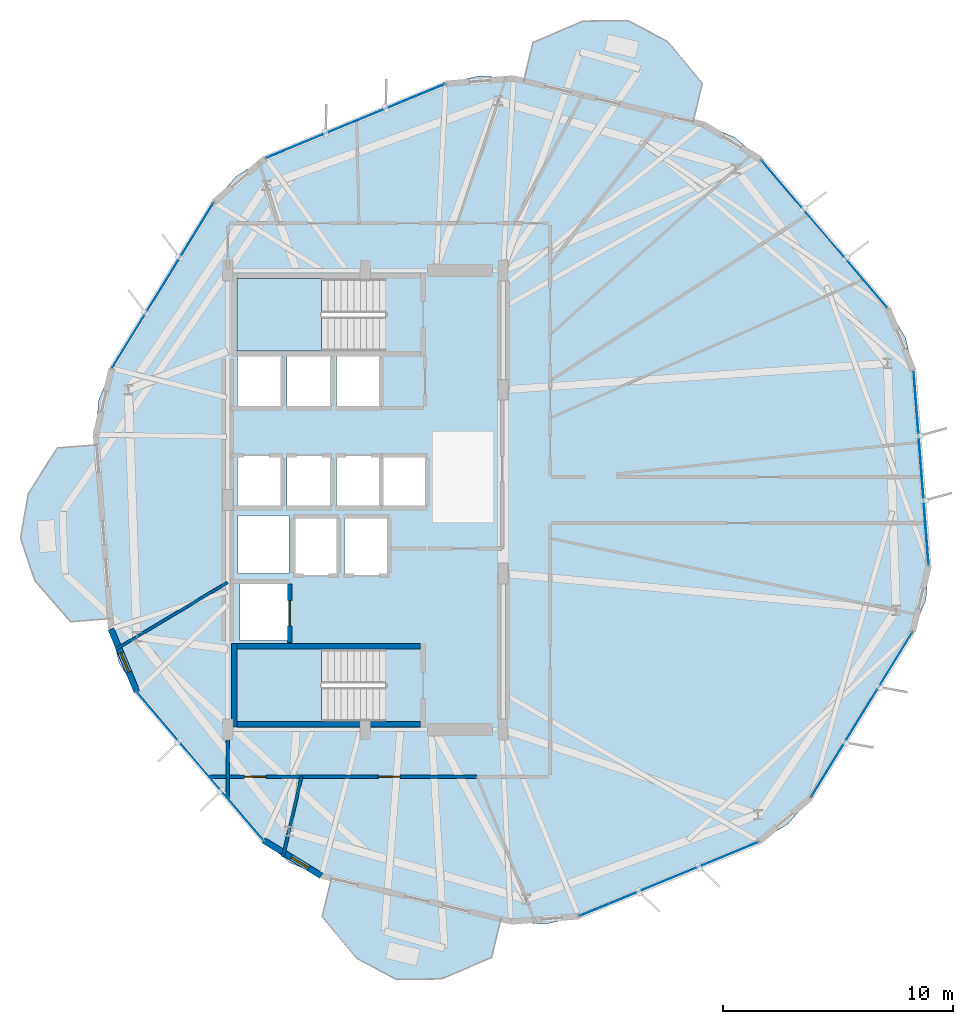
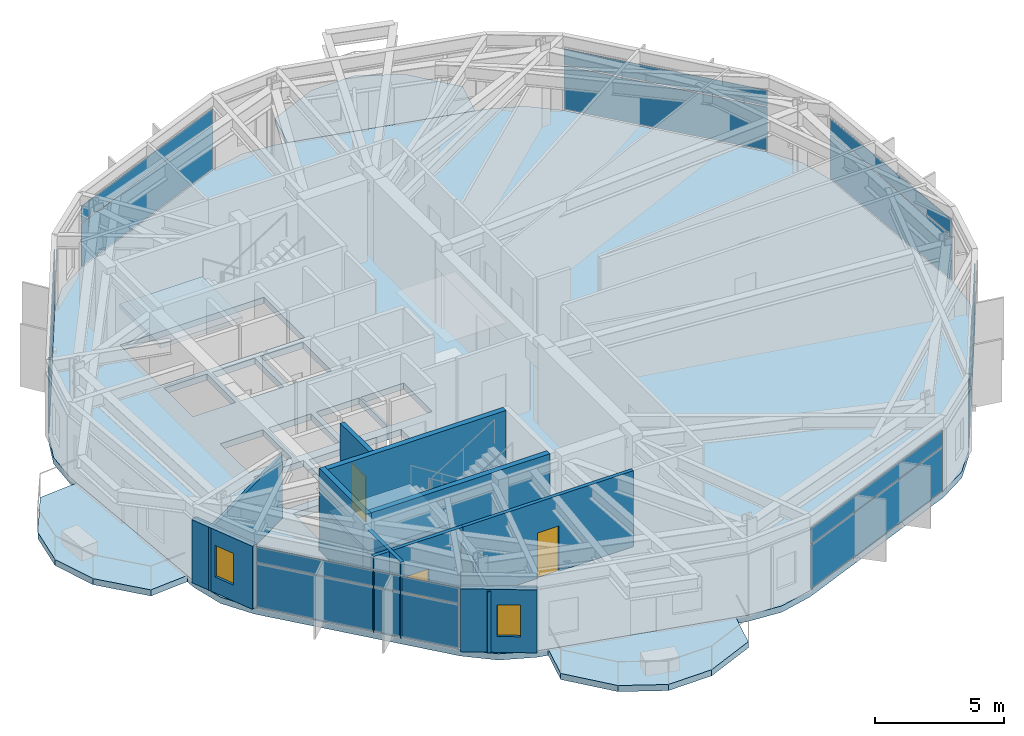
# One storey, part 15 of 21: 14 plates, 11 walls, 6 slabs, 3 doors, 2 windows, 5 openings, 9 elements without a shape of their own.
"""IFC4 building model written with IfcOpenShell, lengths in metres."""

from ifc_helpers import new_model, si_unit, direction, frame, frame_2d, origin, origin_2d, place, context, subcontext, project, spatial, polyline, rectangle, outline, extrude, material, layer, layer_set, type_object, element, fill, aggregate, save


model = new_model("IFC4")

# Units and contexts
model_context = context("Model", 3, precision=1e-05, world=origin(), true_north=direction((0.0, 1.0)))
body_context = subcontext(model_context, "Body", "Model", "MODEL_VIEW")
ifc_project = project(units=[si_unit("LENGTHUNIT", "METRE"), si_unit("AREAUNIT", "SQUARE_METRE"), si_unit("VOLUMEUNIT", "CUBIC_METRE"), si_unit("PLANEANGLEUNIT", "RADIAN"), si_unit("MASSUNIT", "GRAM", prefix="KILO")], contexts=[model_context])

# Site, building, storey
site_placement = place(None, origin())
site = spatial("IfcSite", under=ifc_project, at=site_placement, CompositionType="ELEMENT")
building_placement = place(site_placement, origin())
building = spatial("IfcBuilding", under=site, at=building_placement, Name="Soratama Intermodal Tower", CompositionType="ELEMENT")
storey_placement = place(building_placement, frame((0.0, 0.0, 114.699951171875)))
storey = spatial("IfcBuildingStorey", under=building, at=storey_placement, Name="L27", CompositionType="ELEMENT", Elevation=114.699951171875)

# Curtain wall, plates
ifc_material_1 = material(Name="Double-glazed aluminium curtain wall", Category="aluminium")
ifc_layer_1 = layer(ifc_material_1, 0.159912109375)
ifc_layer_set_1 = layer_set([ifc_layer_1], Name="Double-glazed aluminium curtain wall")
curtain_wall_type = type_object("IfcCurtainWallType", Name="CW-SYS-3", PredefinedType="NOTDEFINED", material=ifc_layer_set_1)
curtain_wall_1_placement = place(storey_placement, origin())
curtain_wall_1 = element("IfcCurtainWall", 1, at=curtain_wall_1_placement, inside=storey, type_object=curtain_wall_type, Name="L27 Faceted Curtain Wall F01", PredefinedType="NOTDEFINED")
ifc_material_2 = material(Name="Low-E laminated double glazing", Category="glass")
ifc_layer_2 = layer(ifc_material_2, 0.028076171875)
ifc_layer_set_2 = layer_set([ifc_layer_2], Name="Low-E laminated double glazing")
plate_type = type_object("IfcPlateType", Name="PT-CWP-3", PredefinedType="CURTAIN_PANEL", material=ifc_layer_set_2)
plate_1_placement = place(storey_placement, frame((58.59765625, 36.5888671875, 0.06005859375), z_axis=(0.0, 0.0, 1.0), x_axis=(-0.648649191763, 0.761087528491, 0.0)))
plate_1 = element("IfcPlate", 2, at=plate_1_placement, type_object=plate_type, Name="CW-3 panel 1.1", PredefinedType="CURTAIN_PANEL", context=body_context, shape_type="SweptSolid", body=[
    extrude(rectangle(XDim=8.370849609375, YDim=0.028076171875, at=origin_2d()), origin(), (0.0, 0.0, 1.0), 2.06005859375),
])
plate_2_placement = place(storey_placement, frame((58.59765625, 36.5888671875, 2.18017578125), z_axis=(0.0, 0.0, 1.0), x_axis=(-0.648649191763, 0.761087528491, 0.0)))
plate_2 = element("IfcPlate", 3, at=plate_2_placement, type_object=plate_type, Name="CW-3 panel 1.2", PredefinedType="CURTAIN_PANEL", context=body_context, shape_type="SweptSolid", body=[
    extrude(rectangle(XDim=8.370849609375, YDim=0.028076171875, at=origin_2d()), origin(), (0.0, 0.0, 1.0), 0.739013671875),
])
aggregate(curtain_wall_1, [plate_1, plate_2])

curtain_wall_2_placement = place(storey_placement, origin())
curtain_wall_2 = element("IfcCurtainWall", 4, at=curtain_wall_2_placement, inside=storey, type_object=curtain_wall_type, Name="L27 Faceted Curtain Wall F03", PredefinedType="NOTDEFINED")
plate_3_placement = place(storey_placement, frame((38.18017578125, 41.51318359375, 0.06005859375), z_axis=(0.0, 0.0, 1.0), x_axis=(-0.924279041692, -0.3817175043, 0.0)))
plate_3 = element("IfcPlate", 5, at=plate_3_placement, type_object=plate_type, Name="CW-3 panel 1.1", PredefinedType="CURTAIN_PANEL", context=body_context, shape_type="SweptSolid", body=[
    extrude(rectangle(XDim=8.370849609375, YDim=0.028076171875, at=origin_2d()), origin(), (0.0, 0.0, 1.0), 2.06005859375),
])
plate_4_placement = place(storey_placement, frame((38.18017578125, 41.51318359375, 2.18017578125), z_axis=(0.0, 0.0, 1.0), x_axis=(-0.924279041692, -0.3817175043, 0.0)))
plate_4 = element("IfcPlate", 6, at=plate_4_placement, type_object=plate_type, Name="CW-3 panel 1.2", PredefinedType="CURTAIN_PANEL", context=body_context, shape_type="SweptSolid", body=[
    extrude(rectangle(XDim=8.370849609375, YDim=0.028076171875, at=origin_2d()), origin(), (0.0, 0.0, 1.0), 0.739013671875),
])
aggregate(curtain_wall_2, [plate_3, plate_4])

curtain_wall_3_placement = place(storey_placement, origin())
curtain_wall_3 = element("IfcCurtainWall", 7, at=curtain_wall_3_placement, inside=storey, type_object=curtain_wall_type, Name="L27 Faceted Curtain Wall F04", PredefinedType="NOTDEFINED")
plate_5_placement = place(storey_placement, frame((29.7763671875, 34.350830078125, 0.06005859375), z_axis=(0.0, 0.0, 1.0), x_axis=(-0.523396118102, -0.852089492692, 0.0)))
plate_5 = element("IfcPlate", 8, at=plate_5_placement, type_object=plate_type, Name="CW-3 panel 1.1", PredefinedType="CURTAIN_PANEL", context=body_context, shape_type="SweptSolid", body=[
    extrude(rectangle(XDim=8.370849609375, YDim=0.028076171875, at=origin_2d()), origin(), (0.0, 0.0, 1.0), 2.06005859375),
])
plate_6_placement = place(storey_placement, frame((29.7763671875, 34.350830078125, 2.18017578125), z_axis=(0.0, 0.0, 1.0), x_axis=(-0.523396118102, -0.852089492692, 0.0)))
plate_6 = element("IfcPlate", 9, at=plate_6_placement, type_object=plate_type, Name="CW-3 panel 1.2", PredefinedType="CURTAIN_PANEL", context=body_context, shape_type="SweptSolid", body=[
    extrude(rectangle(XDim=8.370849609375, YDim=0.028076171875, at=origin_2d()), origin(), (0.0, 0.0, 1.0), 0.739013671875),
])
aggregate(curtain_wall_3, [plate_5, plate_6])

curtain_wall_4_placement = place(storey_placement, origin())
curtain_wall_4 = element("IfcCurtainWall", 10, at=curtain_wall_4_placement, inside=storey, type_object=curtain_wall_type, Name="L27 Faceted Curtain Wall F06", PredefinedType="NOTDEFINED")
plate_7_placement = place(storey_placement, frame((31.40234375, 13.4111328125, 0.06005859375), z_axis=(0.0, 0.0, 1.0), x_axis=(0.648649191763, -0.761087528491, 0.0)))
plate_7 = element("IfcPlate", 11, at=plate_7_placement, type_object=plate_type, Name="CW-3 panel 1.1", PredefinedType="CURTAIN_PANEL", context=body_context, shape_type="SweptSolid", body=[
    extrude(rectangle(XDim=8.370849609375, YDim=0.028076171875, at=origin_2d()), origin(), (0.0, 0.0, 1.0), 2.06005859375),
])
plate_8_placement = place(storey_placement, frame((31.40234375, 13.4111328125, 2.18017578125), z_axis=(0.0, 0.0, 1.0), x_axis=(0.648649191763, -0.761087528491, 0.0)))
plate_8 = element("IfcPlate", 12, at=plate_8_placement, type_object=plate_type, Name="CW-3 panel 1.2", PredefinedType="CURTAIN_PANEL", context=body_context, shape_type="SweptSolid", body=[
    extrude(rectangle(XDim=8.370849609375, YDim=0.028076171875, at=origin_2d()), origin(), (0.0, 0.0, 1.0), 0.739013671875),
])
aggregate(curtain_wall_4, [plate_7, plate_8])

curtain_wall_5_placement = place(storey_placement, origin())
curtain_wall_5 = element("IfcCurtainWall", 13, at=curtain_wall_5_placement, inside=storey, type_object=curtain_wall_type, Name="L27 Faceted Curtain Wall F08", PredefinedType="NOTDEFINED")
plate_9_placement = place(storey_placement, frame((51.81982421875, 8.48681640625, 0.06005859375), z_axis=(0.0, 0.0, 1.0), x_axis=(0.924279041692, 0.3817175043, 0.0)))
plate_9 = element("IfcPlate", 14, at=plate_9_placement, type_object=plate_type, Name="CW-3 panel 1.1", PredefinedType="CURTAIN_PANEL", context=body_context, shape_type="SweptSolid", body=[
    extrude(rectangle(XDim=8.370849609375, YDim=0.028076171875, at=origin_2d()), origin(), (0.0, 0.0, 1.0), 2.06005859375),
])
plate_10_placement = place(storey_placement, frame((51.81982421875, 8.48681640625, 2.18017578125), z_axis=(0.0, 0.0, 1.0), x_axis=(0.924279041692, 0.3817175043, 0.0)))
plate_10 = element("IfcPlate", 15, at=plate_10_placement, type_object=plate_type, Name="CW-3 panel 1.2", PredefinedType="CURTAIN_PANEL", context=body_context, shape_type="SweptSolid", body=[
    extrude(rectangle(XDim=8.370849609375, YDim=0.028076171875, at=origin_2d()), origin(), (0.0, 0.0, 1.0), 0.739013671875),
])
aggregate(curtain_wall_5, [plate_9, plate_10])

curtain_wall_6_placement = place(storey_placement, origin())
curtain_wall_6 = element("IfcCurtainWall", 16, at=curtain_wall_6_placement, inside=storey, type_object=curtain_wall_type, Name="L27 Faceted Curtain Wall F09", PredefinedType="NOTDEFINED")
plate_11_placement = place(storey_placement, frame((60.2236328125, 15.649169921875, 0.06005859375), z_axis=(0.0, 0.0, 1.0), x_axis=(0.523396118102, 0.852089492692, 0.0)))
plate_11 = element("IfcPlate", 17, at=plate_11_placement, type_object=plate_type, Name="CW-3 panel 1.1", PredefinedType="CURTAIN_PANEL", context=body_context, shape_type="SweptSolid", body=[
    extrude(rectangle(XDim=8.370849609375, YDim=0.028076171875, at=origin_2d()), origin(), (0.0, 0.0, 1.0), 2.06005859375),
])
plate_12_placement = place(storey_placement, frame((60.2236328125, 15.649169921875, 2.18017578125), z_axis=(0.0, 0.0, 1.0), x_axis=(0.523396118102, 0.852089492692, 0.0)))
plate_12 = element("IfcPlate", 18, at=plate_12_placement, type_object=plate_type, Name="CW-3 panel 1.2", PredefinedType="CURTAIN_PANEL", context=body_context, shape_type="SweptSolid", body=[
    extrude(rectangle(XDim=8.370849609375, YDim=0.028076171875, at=origin_2d()), origin(), (0.0, 0.0, 1.0), 0.739013671875),
])
aggregate(curtain_wall_6, [plate_11, plate_12])

curtain_wall_7_placement = place(storey_placement, origin())
curtain_wall_7 = element("IfcCurtainWall", 19, at=curtain_wall_7_placement, inside=storey, type_object=curtain_wall_type, Name="L27 Faceted Curtain Wall F10", PredefinedType="NOTDEFINED")
plate_13_placement = place(storey_placement, frame((62.8125, 26.383056640625, 0.06005859375), z_axis=(0.0, 0.0, 1.0), x_axis=(-0.077412472257, 0.996999152025, 0.0)))
plate_13 = element("IfcPlate", 20, at=plate_13_placement, type_object=plate_type, Name="CW-3 panel 1.1", PredefinedType="CURTAIN_PANEL", context=body_context, shape_type="SweptSolid", body=[
    extrude(rectangle(XDim=8.370849609375, YDim=0.028076171875, at=origin_2d()), origin(), (0.0, 0.0, 1.0), 2.06005859375),
])
plate_14_placement = place(storey_placement, frame((62.8125, 26.383056640625, 2.18017578125), z_axis=(0.0, 0.0, 1.0), x_axis=(-0.077412472257, 0.996999152025, 0.0)))
plate_14 = element("IfcPlate", 21, at=plate_14_placement, type_object=plate_type, Name="CW-3 panel 1.2", PredefinedType="CURTAIN_PANEL", context=body_context, shape_type="SweptSolid", body=[
    extrude(rectangle(XDim=8.370849609375, YDim=0.028076171875, at=origin_2d()), origin(), (0.0, 0.0, 1.0), 0.739013671875),
])
aggregate(curtain_wall_7, [plate_13, plate_14])

# Slabs
ifc_material_3 = material(Name="Concrete f'c 42 MPa", Category="concrete")
ifc_layer_3 = layer(ifc_material_3, 0.2900390625)
ifc_layer_set_3 = layer_set([ifc_layer_3], Name="Concrete f'c 42 MPa")
slab_type_1 = type_object("IfcSlabType", Name="SL-EXT-BAL2", PredefinedType="FLOOR", material=ifc_layer_set_3)
slab_1_placement = place(storey_placement, frame((0.0, 0.0, -0.2900390625)))
element("IfcSlab", 22, at=slab_1_placement, inside=storey, type_object=slab_type_1, Name="L27 Planted Balcony North 1", PredefinedType="FLOOR", context=body_context, shape_type="SweptSolid", body=[
    extrude(outline(polyline([(52.87841796875, 41.478271484375), (45.49951171875, 43.258056640625), (45.902587890625, 44.929931640625), (48.0791015625, 45.86083984375), (50.03759765625, 45.88720703125), (51.768798828125, 44.970947265625), (53.28173828125, 43.150390625), (52.87841796875, 41.478271484375)])), origin(), (0.0, 0.0, 1.0), 0.2900390625),
])
slab_2_placement = place(storey_placement, frame((0.0, 0.0, -0.2900390625)))
element("IfcSlab", 23, at=slab_2_placement, inside=storey, type_object=slab_type_1, Name="L27 Planted Balcony West 2", PredefinedType="FLOOR", context=body_context, shape_type="SweptSolid", body=[
    extrude(outline(polyline([(26.893798828125, 27.40087890625), (27.4814453125, 19.832763671875), (25.7666015625, 19.69970703125), (24.208740234375, 21.482177734375), (23.578369140625, 23.336669921875), (23.914794921875, 25.26611328125), (25.178955078125, 27.267822265625), (26.893798828125, 27.40087890625)])), origin(), (0.0, 0.0, 1.0), 0.2900390625),
])
slab_3_placement = place(storey_placement, frame((0.0, 0.0, -0.2900390625)))
element("IfcSlab", 24, at=slab_3_placement, inside=storey, type_object=slab_type_1, Name="L27 Planted Balcony South 3", PredefinedType="FLOOR", context=body_context, shape_type="SweptSolid", body=[
    extrude(outline(polyline([(37.12158203125, 8.521728515625), (44.50048828125, 6.741943359375), (44.097412109375, 5.070068359375), (41.9208984375, 4.13916015625), (39.96240234375, 4.11279296875), (38.231201171875, 5.029052734375), (36.71826171875, 6.849609375), (37.12158203125, 8.521728515625)])), origin(), (0.0, 0.0, 1.0), 0.2900390625),
])

# Stair, slab
ifc_material_4 = material(Name="Concrete f'c 42 MPa", Category="concrete")
stair_type = type_object("IfcStairType", Name="ST-CORE-DOGLEG", PredefinedType="HALF_TURN_STAIR", material=ifc_material_4)
stair_1_placement = place(storey_placement, origin())
stair_1 = element("IfcStair", 25, at=stair_1_placement, inside=storey, type_object=stair_type, Name="L27 ST-1", PredefinedType="HALF_TURN_STAIR")
ifc_material_5 = material(Name="Concrete f'c 42 MPa", Category="concrete")
ifc_layer_4 = layer(ifc_material_5, 0.219970703125)
ifc_layer_set_4 = layer_set([ifc_layer_4], Name="Concrete f'c 42 MPa")
slab_type_2 = type_object("IfcSlabType", Name="SL-STAIR-LAND", PredefinedType="LANDING", material=ifc_layer_set_4)
slab_4_placement = place(storey_placement, frame((0.0, 0.0, 1.75)))
slab_4 = element("IfcSlab", 26, at=slab_4_placement, type_object=slab_type_2, Name="ST-1 landing 1", PredefinedType="LANDING", context=body_context, shape_type="SweptSolid", body=[
    extrude(outline(polyline([(36.699951171875, 18.5), (33.0, 18.5), (33.0, 15.35009765625), (36.699951171875, 15.35009765625), (36.699951171875, 18.5)])), origin(), (0.0, 0.0, 1.0), 0.199951171875),
])
aggregate(stair_1, [slab_4])

stair_2_placement = place(storey_placement, origin())
stair_2 = element("IfcStair", 27, at=stair_2_placement, inside=storey, type_object=stair_type, Name="L27 ST-2", PredefinedType="HALF_TURN_STAIR")
slab_5_placement = place(storey_placement, frame((0.0, 0.0, 1.75)))
slab_5 = element("IfcSlab", 28, at=slab_5_placement, type_object=slab_type_2, Name="ST-2 landing 1", PredefinedType="LANDING", context=body_context, shape_type="SweptSolid", body=[
    extrude(outline(polyline([(36.699951171875, 34.64990234375), (33.0, 34.64990234375), (33.0, 31.5), (36.699951171875, 31.5), (36.699951171875, 34.64990234375)])), origin(), (0.0, 0.0, 1.0), 0.199951171875),
])
aggregate(stair_2, [slab_5])

# Slab
ifc_material_6 = material(Name="Concrete f'c 42 MPa", Category="concrete")
ifc_layer_5 = layer(ifc_material_6, 0.280029296875)
ifc_layer_set_5 = layer_set([ifc_layer_5], Name="Concrete f'c 42 MPa")
slab_type_3 = type_object("IfcSlabType", Name="SL-TWR-280", PredefinedType="FLOOR", material=ifc_layer_set_5)
slab_6_placement = place(storey_placement, frame((0.0, 0.0, -0.300048828125)))
element("IfcSlab", 29, at=slab_6_placement, inside=storey, type_object=slab_type_3, Name="L27 Structural Floor Slab", PredefinedType="FLOOR", context=body_context, shape_type="SweptSolid", body=[
    extrude(outline(polyline([(62.48388671875, 30.61572265625), (62.134765625, 32.076416015625), (61.351318359375, 33.357666015625), (55.84375, 39.820068359375), (54.702880859375, 40.79638671875), (53.31591796875, 41.372802734375), (45.06201171875, 43.363525390625), (43.564697265625, 43.48291015625), (42.104248046875, 43.1337890625), (34.25634765625, 39.892578125), (32.97509765625, 39.109375), (31.99853515625, 37.968505859375), (27.554443359375, 30.7333984375), (26.978271484375, 29.3466796875), (26.85888671875, 27.849609375), (27.51611328125, 19.38427734375), (27.865234375, 17.923583984375), (28.648681640625, 16.642333984375), (34.15625, 10.179931640625), (35.297119140625, 9.20361328125), (36.68408203125, 8.627197265625), (44.93798828125, 6.636474609375), (46.435302734375, 6.51708984375), (47.895751953125, 6.8662109375), (55.74365234375, 10.107421875), (57.02490234375, 10.890625), (58.00146484375, 12.031494140625), (62.445556640625, 19.2666015625), (63.021728515625, 20.6533203125), (63.14111328125, 22.150390625), (62.48388671875, 30.61572265625)]), holes=[polyline([(33.0, 18.5), (33.0, 15.35009765625), (39.47509765625, 15.35009765625), (39.47509765625, 18.5), (33.0, 18.5)]), polyline([(35.260009765625, 18.889892578125), (35.260009765625, 21.409912109375), (33.139892578125, 21.409912109375), (33.139892578125, 18.889892578125), (35.260009765625, 18.889892578125)]), polyline([(33.050048828125, 21.800048828125), (35.280029296875, 21.800048828125), (35.280029296875, 24.320068359375), (33.050048828125, 24.320068359375), (33.050048828125, 21.800048828125)]), polyline([(34.9599609375, 26.909912109375), (33.0400390625, 26.909912109375), (33.0400390625, 24.68994140625), (34.9599609375, 24.68994140625), (34.9599609375, 26.909912109375)]), polyline([(37.110107421875, 24.68994140625), (37.110107421875, 26.909912109375), (35.18994140625, 26.909912109375), (35.18994140625, 24.68994140625), (37.110107421875, 24.68994140625)]), polyline([(34.9599609375, 29.0400390625), (34.9599609375, 31.260009765625), (33.0400390625, 31.260009765625), (33.0400390625, 29.0400390625), (34.9599609375, 29.0400390625)]), polyline([(37.110107421875, 31.260009765625), (35.18994140625, 31.260009765625), (35.18994140625, 29.0400390625), (37.110107421875, 29.0400390625), (37.110107421875, 31.260009765625)]), polyline([(37.409912109375, 21.739990234375), (37.409912109375, 24.260009765625), (35.489990234375, 24.260009765625), (35.489990234375, 21.739990234375), (37.409912109375, 21.739990234375)]), polyline([(39.610107421875, 21.739990234375), (39.610107421875, 24.260009765625), (37.68994140625, 24.260009765625), (37.68994140625, 21.739990234375), (39.610107421875, 21.739990234375)]), polyline([(39.260009765625, 24.68994140625), (39.260009765625, 26.909912109375), (37.340087890625, 26.909912109375), (37.340087890625, 24.68994140625), (39.260009765625, 24.68994140625)]), polyline([(41.260009765625, 24.68994140625), (41.260009765625, 26.909912109375), (39.340087890625, 26.909912109375), (39.340087890625, 24.68994140625), (41.260009765625, 24.68994140625)]), polyline([(39.260009765625, 29.0400390625), (39.260009765625, 31.260009765625), (37.340087890625, 31.260009765625), (37.340087890625, 29.0400390625), (39.260009765625, 29.0400390625)]), polyline([(39.47509765625, 34.64990234375), (33.0, 34.64990234375), (33.0, 31.5), (39.47509765625, 31.5), (39.47509765625, 34.64990234375)])]), origin(), (0.0, 0.0, 1.0), 0.300048828125),
])

# Wall, opening, window
ifc_material_7 = material(Name="Concrete f'c 42 MPa", Category="concrete")
ifc_layer_6 = layer(ifc_material_7, 0.27001953125)
ifc_layer_set_6 = layer_set([ifc_layer_6], Name="Concrete f'c 42 MPa")
wall_type_1 = type_object("IfcWallType", Name="EW-CRN-270", PredefinedType="SOLIDWALL", material=ifc_layer_set_6)
wall_1_placement = place(storey_placement, frame((27.51611328125, 19.38427734375, 0.0), z_axis=(0.0, 0.0, 1.0), x_axis=(0.381767795874, -0.9242582702, 0.0)))
wall_1 = element("IfcWall", 30, at=wall_1_placement, inside=storey, type_object=wall_type_1, Name="L27 Corner Closure Wall 05", PredefinedType="SOLIDWALL", context=body_context, shape_type="SweptSolid", body=[
    extrude(rectangle(XDim=2.966552734375, YDim=0.27001953125, at=frame_2d((1.4833984375, 0.0))), origin(), (0.0, 0.0, 1.0), 2.97900390625),
])
opening_1_placement = place(wall_1_placement, frame((1.130615234375, 0.0, 0.75)))
opening_1 = element("IfcOpeningElement", 31, at=opening_1_placement, cuts=wall_1, Name="Opening WN-6", PredefinedType="OPENING", context=body_context, shape_type="SweptSolid", body=[
    extrude(rectangle(XDim=0.89990234375, YDim=1.5, at=frame_2d((0.449951171875, 0.75))), frame((0.0, 0.14501953125, 0.0), z_axis=(0.0, -1.0, 0.0), x_axis=(1.0, 0.0, 0.0)), (0.0, 0.0, 1.0), 0.2900390625),
])
ifc_material_8 = material(Name="Double-glazed aluminium window", Category="aluminium")
window_type = type_object("IfcWindowType", Name="WN-FAC-900", PartitioningType="SINGLE_PANEL", PredefinedType="WINDOW", material=ifc_material_8)
window_1_placement = place(opening_1_placement, origin())
window_1 = element("IfcWindow", 32, at=window_1_placement, inside=storey, type_object=window_type, Name="L27 Corner Window 05", OverallHeight=1.5, OverallWidth=0.89990234375, PartitioningType="SINGLE_PANEL", PredefinedType="WINDOW", context=body_context, shape_type="SweptSolid", body=[
    extrude(rectangle(XDim=0.89990234375, YDim=1.5, at=frame_2d((0.449951171875, 0.75))), frame((0.0, 0.030029296875, 0.0), z_axis=(0.0, -1.0, 0.0), x_axis=(1.0, 0.0, 0.0)), (0.0, 0.0, 1.0), 0.06005859375),
])
fill(opening_1, window_1)

wall_2_placement = place(storey_placement, frame((34.15625, 10.179931640625, 0.0), z_axis=(0.0, 0.0, 1.0), x_axis=(0.852087521371, -0.523399327402, 0.0)))
wall_2 = element("IfcWall", 33, at=wall_2_placement, inside=storey, type_object=wall_type_1, Name="L27 Corner Closure Wall 06", PredefinedType="SOLIDWALL", context=body_context, shape_type="SweptSolid", body=[
    extrude(rectangle(XDim=2.966552734375, YDim=0.27001953125, at=frame_2d((1.4833984375, 0.0))), origin(), (0.0, 0.0, 1.0), 2.97900390625),
])
opening_2_placement = place(wall_2_placement, frame((1.422119140625, 0.0, 0.75)))
opening_2 = element("IfcOpeningElement", 34, at=opening_2_placement, cuts=wall_2, Name="Opening WN-6", PredefinedType="OPENING", context=body_context, shape_type="SweptSolid", body=[
    extrude(rectangle(XDim=0.89990234375, YDim=1.5, at=frame_2d((0.449951171875, 0.75))), frame((0.0, 0.14501953125, 0.0), z_axis=(0.0, -1.0, 0.0), x_axis=(1.0, 0.0, 0.0)), (0.0, 0.0, 1.0), 0.2900390625),
])
window_2_placement = place(opening_2_placement, origin())
window_2 = element("IfcWindow", 35, at=window_2_placement, inside=storey, type_object=window_type, Name="L27 Corner Window 06", OverallHeight=1.5, OverallWidth=0.89990234375, PartitioningType="SINGLE_PANEL", PredefinedType="WINDOW", context=body_context, shape_type="SweptSolid", body=[
    extrude(rectangle(XDim=0.89990234375, YDim=1.5, at=frame_2d((0.449951171875, 0.75))), frame((0.0, 0.030029296875, 0.0), z_axis=(0.0, -1.0, 0.0), x_axis=(1.0, 0.0, 0.0)), (0.0, 0.0, 1.0), 0.06005859375),
])
fill(opening_2, window_2)

# Wall, opening, door
ifc_material_9 = material(Name="Fire-rated gypsum stud partition", Category="concrete")
ifc_layer_7 = layer(ifc_material_9, 0.159912109375)
ifc_layer_set_7 = layer_set([ifc_layer_7], Name="Fire-rated gypsum stud partition")
wall_type_2 = type_object("IfcWallType", Name="IW-PART-R160", PredefinedType="PARTITIONING", material=ifc_layer_set_7)
wall_3_placement = place(storey_placement, frame((43.455078125, 12.949951171875, 0.0), z_axis=(0.0, 0.0, 1.0), x_axis=(-1.0, 0.0, 0.0)))
wall_3 = element("IfcWall", 36, at=wall_3_placement, inside=storey, type_object=wall_type_2, Name="L27 Partition W-L27-TP010", PredefinedType="PARTITIONING", context=body_context, shape_type="SweptSolid", body=[
    extrude(rectangle(XDim=7.635986328125, YDim=0.159912109375, at=frame_2d((3.81787109375, 0.0))), origin(), (0.0, 0.0, 1.0), 3.60009765625),
])
opening_3_placement = place(wall_3_placement, frame((3.343017578125, 0.0, 0.0)))
opening_3 = element("IfcOpeningElement", 37, at=opening_3_placement, cuts=wall_3, Name="Opening ID-3", PredefinedType="OPENING", context=body_context, shape_type="SweptSolid", body=[
    extrude(rectangle(XDim=0.949951171875, YDim=2.14990234375, at=frame_2d((0.47509765625, 1.074951171875))), frame((0.0, 0.08984375, 0.0), z_axis=(0.0, -1.0, 0.0), x_axis=(1.0, 0.0, 0.0)), (0.0, 0.0, 1.0), 0.179931640625),
])
ifc_material_10 = material(Name="Solid hardwood acoustic door", Category="wood")
door_type_1 = type_object("IfcDoorType", Name="DR-ROOM-950", OperationType="NOTDEFINED", PredefinedType="DOOR", material=ifc_material_10)
door_1_placement = place(opening_3_placement, origin())
door_1 = element("IfcDoor", 38, at=door_1_placement, inside=storey, type_object=door_type_1, Name="L27 Door D-L27-TP004", OperationType="SINGLE_SWING_LEFT", OverallHeight=2.14990234375, OverallWidth=0.949951171875, PredefinedType="DOOR", context=body_context, shape_type="SweptSolid", body=[
    extrude(rectangle(XDim=0.949951171875, YDim=2.14990234375, at=frame_2d((0.47509765625, 1.074951171875))), frame((0.0, 0.02490234375, 0.0), z_axis=(0.0, -1.0, 0.0), x_axis=(1.0, 0.0, 0.0)), (0.0, 0.0, 1.0), 0.050048828125),
])
fill(opening_3, door_1)

wall_4_placement = place(storey_placement, frame((35.819091796875, 12.949951171875, 0.0), z_axis=(0.0, 0.0, 1.0), x_axis=(-1.0, 0.0, 0.0)))
wall_4 = element("IfcWall", 39, at=wall_4_placement, inside=storey, type_object=wall_type_2, Name="L27 Partition W-L27-TP018", PredefinedType="PARTITIONING", context=body_context, shape_type="SweptSolid", body=[
    extrude(rectangle(XDim=4.024169921875, YDim=0.159912109375, at=frame_2d((2.01220703125, 0.0))), origin(), (0.0, 0.0, 1.0), 3.60009765625),
])
opening_4_placement = place(wall_4_placement, frame((1.537109375, 0.0, 0.0)))
opening_4 = element("IfcOpeningElement", 40, at=opening_4_placement, cuts=wall_4, Name="Opening ID-3", PredefinedType="OPENING", context=body_context, shape_type="SweptSolid", body=[
    extrude(rectangle(XDim=0.949951171875, YDim=2.14990234375, at=frame_2d((0.47509765625, 1.074951171875))), frame((0.0, 0.08984375, 0.0), z_axis=(0.0, -1.0, 0.0), x_axis=(1.0, 0.0, 0.0)), (0.0, 0.0, 1.0), 0.179931640625),
])
door_2_placement = place(opening_4_placement, origin())
door_2 = element("IfcDoor", 41, at=door_2_placement, inside=storey, type_object=door_type_1, Name="L27 Door D-L27-TP007", OperationType="SINGLE_SWING_RIGHT", OverallHeight=2.14990234375, OverallWidth=0.949951171875, PredefinedType="DOOR", context=body_context, shape_type="SweptSolid", body=[
    extrude(rectangle(XDim=0.949951171875, YDim=2.14990234375, at=frame_2d((0.47509765625, 1.074951171875))), frame((0.0, 0.02490234375, 0.0), z_axis=(0.0, -1.0, 0.0), x_axis=(1.0, 0.0, 0.0)), (0.0, 0.0, 1.0), 0.050048828125),
])
fill(opening_4, door_2)

# Walls
wall_5_placement = place(storey_placement, frame((32.60009765625, 12.006103515625, 0.0), z_axis=(0.0, 0.0, 1.0), x_axis=(0.0, 1.0, 0.0)))
element("IfcWall", 42, at=wall_5_placement, inside=storey, type_object=wall_type_2, Name="L27 Partition W-L27-TP024", PredefinedType="PARTITIONING", context=body_context, shape_type="SweptSolid", body=[
    extrude(rectangle(XDim=2.923828125, YDim=0.159912109375, at=frame_2d((1.4619140625, 0.0))), origin(), (0.0, 0.0, 1.0), 3.60009765625),
])
ifc_material_11 = material(Name="Fire-rated gypsum stud partition", Category="concrete")
ifc_layer_8 = layer(ifc_material_11, 0.1298828125)
ifc_layer_set_8 = layer_set([ifc_layer_8], Name="Fire-rated gypsum stud partition")
wall_type_3 = type_object("IfcWallType", Name="IW-PART-S130", PredefinedType="PARTITIONING", material=ifc_layer_set_8)
wall_6_placement = place(storey_placement, frame((32.60009765625, 21.410888671875, 0.0), z_axis=(0.0, 0.0, 1.0), x_axis=(-0.858300195468, -0.513147907002, 0.0)))
element("IfcWall", 43, at=wall_6_placement, inside=storey, type_object=wall_type_3, Name="L27 Partition W-L27-TP015", PredefinedType="PARTITIONING", context=body_context, shape_type="SweptSolid", body=[
    extrude(rectangle(XDim=5.676513671875, YDim=0.1298828125, at=frame_2d((2.83837890625, 0.0))), origin(), (0.0, 0.0, 1.0), 2.97802734375),
])
ifc_material_12 = material(Name="Fire-rated gypsum stud partition", Category="concrete")
ifc_layer_9 = layer(ifc_material_12, 0.139892578125)
ifc_layer_set_9 = layer_set([ifc_layer_9], Name="Fire-rated gypsum stud partition")
wall_type_4 = type_object("IfcWallType", Name="IW-PART-S140", PredefinedType="PARTITIONING", material=ifc_layer_set_9)
wall_7_placement = place(storey_placement, frame((35.819091796875, 12.949951171875, 0.0), z_axis=(0.0, 0.0, 1.0), x_axis=(-0.225167153037, -0.974320149229, 0.0)))
element("IfcWall", 44, at=wall_7_placement, inside=storey, type_object=wall_type_4, Name="L27 Partition W-L27-TP019", PredefinedType="PARTITIONING", context=body_context, shape_type="SweptSolid", body=[
    extrude(rectangle(XDim=3.59326171875, YDim=0.139892578125, at=frame_2d((1.796630859375, 0.0))), origin(), (0.0, 0.0, 1.0), 2.89501953125),
])

# Wall, opening, door
ifc_material_13 = material(Name="Concrete f'c 42 MPa", Category="concrete")
ifc_layer_10 = layer(ifc_material_13, 0.199951171875)
ifc_layer_set_10 = layer_set([ifc_layer_10], Name="Concrete f'c 42 MPa")
wall_type_5 = type_object("IfcWallType", Name="IW-SHAFT-200", PredefinedType="SOLIDWALL", material=ifc_layer_set_10)
wall_8_placement = place(storey_placement, frame((35.300048828125, 18.7900390625, 0.0), z_axis=(0.0, 0.0, 1.0), x_axis=(0.0, 1.0, 0.0)))
wall_8 = element("IfcWall", 45, at=wall_8_placement, inside=storey, type_object=wall_type_5, Name="L27 SVL-1 Hoistway Wall E", PredefinedType="SOLIDWALL", context=body_context, shape_type="SweptSolid", body=[
    extrude(rectangle(XDim=2.550048828125, YDim=0.199951171875, at=frame_2d((1.27490234375, 0.0))), origin(), (0.0, 0.0, 1.0), 3.60009765625),
])
opening_5_placement = place(wall_8_placement, frame((0.72509765625, 0.0, 0.0)))
opening_5 = element("IfcOpeningElement", 46, at=opening_5_placement, cuts=wall_8, Name="Opening LD-1", PredefinedType="OPENING", context=body_context, shape_type="SweptSolid", body=[
    extrude(rectangle(XDim=1.10009765625, YDim=2.14990234375, at=frame_2d((0.550048828125, 1.074951171875))), frame((0.0, 0.10986328125, 0.0), z_axis=(0.0, -1.0, 0.0), x_axis=(1.0, 0.0, 0.0)), (0.0, 0.0, 1.0), 0.219970703125),
])
ifc_material_14 = material(Name="Steel fire door", Category="steel")
door_type_2 = type_object("IfcDoorType", Name="DR-LIFT-SLIDE", OperationType="NOTDEFINED", PredefinedType="DOOR", material=ifc_material_14)
door_3_placement = place(opening_5_placement, origin())
door_3 = element("IfcDoor", 47, at=door_3_placement, inside=storey, type_object=door_type_2, Name="L27 SVL-1 Sliding Landing Door", OperationType="SLIDING_TO_LEFT", OverallHeight=2.14990234375, OverallWidth=1.10009765625, PredefinedType="DOOR", context=body_context, shape_type="SweptSolid", body=[
    extrude(rectangle(XDim=1.10009765625, YDim=2.14990234375, at=frame_2d((0.550048828125, 1.074951171875))), frame((0.0, 0.02490234375, 0.0), z_axis=(0.0, -1.0, 0.0), x_axis=(1.0, 0.0, 0.0)), (0.0, 0.0, 1.0), 0.050048828125),
])
fill(opening_5, door_3)

# Walls
ifc_material_15 = material(Name="Concrete f'c 56 MPa", Category="concrete")
ifc_layer_11 = layer(ifc_material_15, 0.239990234375)
ifc_layer_set_11 = layer_set([ifc_layer_11], Name="Concrete f'c 56 MPa")
wall_type_6 = type_object("IfcWallType", Name="SW-STAIR-240", PredefinedType="SHEAR", material=ifc_layer_set_11)
wall_9_placement = place(storey_placement, frame((32.8798828125, 15.110107421875, 0.0), z_axis=(0.0, 0.0, 1.0), x_axis=(0.0, 1.0, 0.0)))
element("IfcWall", 48, at=wall_9_placement, inside=storey, type_object=wall_type_6, Name="L27 ST-1 Shaft Shear Wall W", PredefinedType="SHEAR", context=body_context, shape_type="SweptSolid", body=[
    extrude(rectangle(XDim=3.6298828125, YDim=0.239990234375, at=frame_2d((1.81494140625, 0.0))), origin(), (0.0, 0.0, 1.0), 3.900146484375),
])
for number, where, z_axis, x_axis, name in (
    (49, (33.0, 15.22998046875, 0.0), (0.0, 0.0, 1.0), (1.0, 0.0, 0.0), "L27 ST-1 Shaft Shear Wall S"),
    (50, (33.0, 18.6201171875, 0.0), (0.0, 0.0, 1.0), (1.0, 0.0, 0.0), "L27 ST-1 Shaft Shear Wall N"),
):
    element("IfcWall", number, at=place(storey_placement, frame(where, z_axis=z_axis, x_axis=x_axis)), inside=storey, type_object=wall_type_6, Name=name, PredefinedType="SHEAR", context=body_context, shape_type="SweptSolid", body=[
        extrude(rectangle(XDim=8.0, YDim=0.239990234375, at=frame_2d((4.0, 0.0))), origin(), (0.0, 0.0, 1.0), 3.900146484375),
    ])

save(model, "model.ifc")
